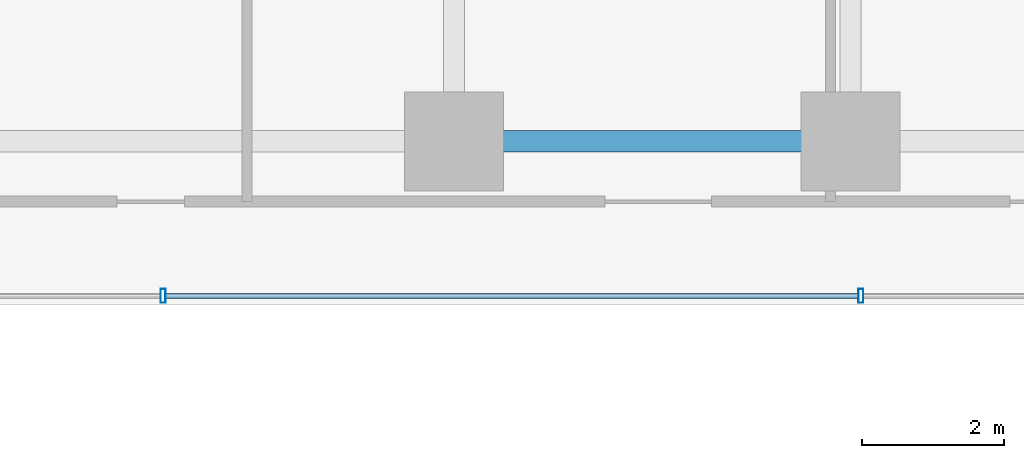
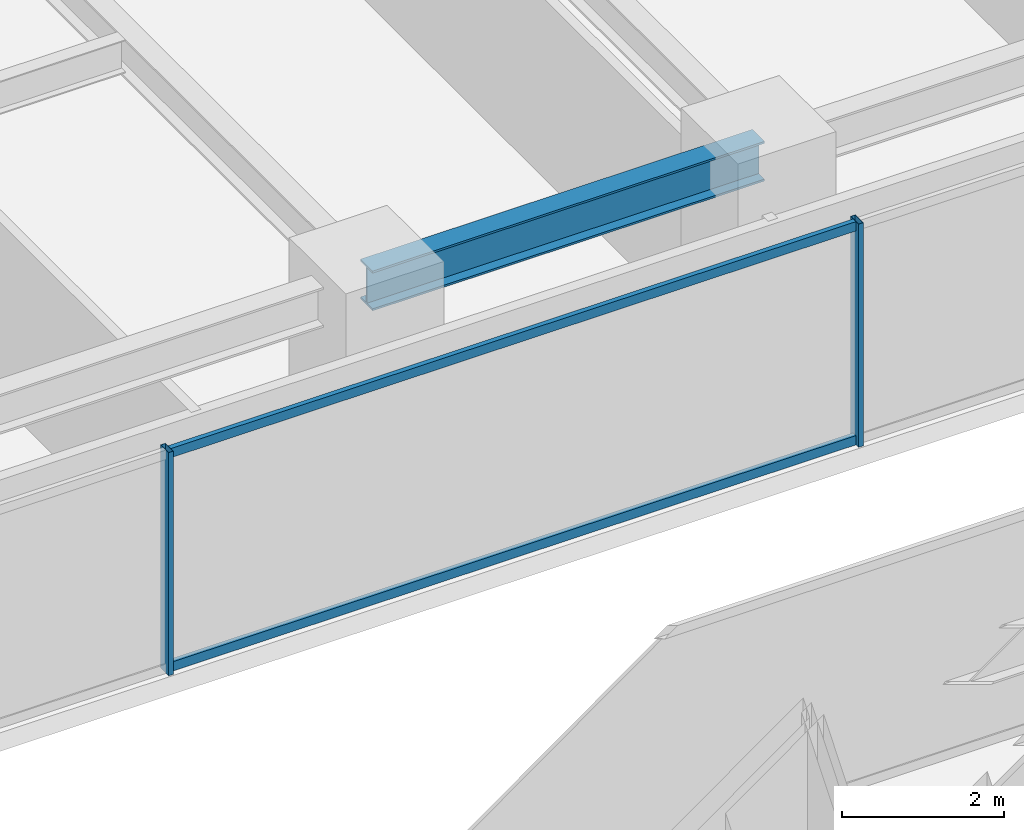
# One storey, part 13 of 42: 4 members, 1 beam, 1 element without a shape of its own.
"""IFC4 building model written with IfcOpenShell, lengths in metres."""

from ifc_helpers import new_model, si_unit, direction, frame, origin, origin_2d, place, context, subcontext, project, spatial, hollow_rectangle, i_section, extrude, source, transform, mapped, material, material_profile, profile_set, type_object, element, aggregate, save


model = new_model("IFC4")

# Units and contexts
model_context = context("Model", 3, precision=1e-05, world=origin(), true_north=direction((0.0, 1.0)))
body_context = subcontext(model_context, "Body", "Model", "MODEL_VIEW")
ifc_project = project(units=[si_unit("LENGTHUNIT", "METRE"), si_unit("AREAUNIT", "SQUARE_METRE"), si_unit("VOLUMEUNIT", "CUBIC_METRE"), si_unit("PLANEANGLEUNIT", "RADIAN"), si_unit("MASSUNIT", "GRAM", prefix="KILO")], contexts=[model_context])

# Site, building, storey
site_placement = place(None, origin())
site = spatial("IfcSite", under=ifc_project, at=site_placement, CompositionType="ELEMENT")
building_placement = place(site_placement, origin())
building = spatial("IfcBuilding", under=site, at=building_placement, Name="Nahalor Promenade Grand Hotel", CompositionType="ELEMENT")
storey_placement = place(building_placement, frame((0.0, 0.0, 61.60009765625)))
storey = spatial("IfcBuildingStorey", under=building, at=storey_placement, Name="L14", CompositionType="ELEMENT", Elevation=61.60009765625)

# Beam
ifc_material_1 = material(Name="Steel S355JR", Category="steel")
ifc_material_profile_1 = material_profile(ifc_material_1, i_section(OverallWidth=0.3, OverallDepth=0.6, WebThickness=0.0155, FlangeThickness=0.03, at=origin_2d()), Name="HEB 600")
ifc_profile_set_1 = profile_set([ifc_material_profile_1], Name="Steel S355JR")
beam_type = type_object("IfcBeamType", Name="Beam-Girder-HEB600", PredefinedType="BEAM", material=ifc_profile_set_1)
shared_shape_1 = source(origin(), body_context, "Body", "SweptSolid", [
    extrude(i_section(OverallWidth=0.3, OverallDepth=0.6, WebThickness=0.0155, FlangeThickness=0.03, at=origin_2d()), origin(), (0.0, 0.0, 1.0), 5.599853515625),
])
beam_placement = place(storey_placement, frame((-8.39990234375, 5.39990234375, 3.06982421875), z_axis=(1.0, 0.0, 0.0), x_axis=(0.0, 1.0, 0.0)))
element("IfcBeam", 1, at=beam_placement, inside=storey, type_object=beam_type, Name="BM-L14-GX-2-2", PredefinedType="BEAM", context=body_context, shape_type="MappedRepresentation", body=[
    mapped(shared_shape_1, transform((0.0, 0.0, 0.0), scale=1.0)),
])

# Curtain wall, members
ifc_material_2 = material(Name="Anodised Bronze Aluminium EN AW-6063 T6", Category="aluminium")
curtain_wall_type = type_object("IfcCurtainWallType", Name="CW3 Elliptical-Void Collar Unitised Curtain Wall", PredefinedType="USERDEFINED", material=ifc_material_2)
curtain_wall_placement = place(storey_placement, origin())
curtain_wall = element("IfcCurtainWall", 2, at=curtain_wall_placement, inside=storey, type_object=curtain_wall_type, Name="L14 Curtain Wall CW-L14-VOID-WN1", ObjectType="UNITISED_CURTAIN_WALL", PredefinedType="USERDEFINED")
ifc_material_profile_2 = material_profile(ifc_material_2, hollow_rectangle(XDim=0.07, YDim=0.2, WallThickness=0.005, at=origin_2d()), Name="CWM 70x200x5")
ifc_profile_set_2 = profile_set([ifc_material_profile_2], Name="Anodised Bronze Aluminium EN AW-6063 T6")
member_type_1 = type_object("IfcMemberType", Name="CWM3 Void Collar Mullion 70x200", PredefinedType="MULLION", material=ifc_profile_set_2)
shared_shape_2 = source(origin(), body_context, "Body", "SweptSolid", [
    extrude(hollow_rectangle(XDim=0.07, YDim=0.2, WallThickness=0.005, at=origin_2d()), origin(), (0.0, 0.0, 1.0), 3.369873046875),
])
member_1_placement = place(storey_placement, frame((-12.506591796875, 3.219970703125, 0.0), z_axis=(0.0, 0.0, 1.0), x_axis=(1.0, 0.0, 0.0)))
member_1 = element("IfcMember", 3, at=member_1_placement, type_object=member_type_1, Name="CW-L14-VOID-WN1 Mullion 1", PredefinedType="MULLION", context=body_context, shape_type="MappedRepresentation", body=[
    mapped(shared_shape_2, transform((0.0, 0.0, 0.0), scale=1.0)),
])
member_2_placement = place(storey_placement, frame((-2.6533203125, 3.219970703125, 0.0), z_axis=(0.0, 0.0, 1.0), x_axis=(1.0, 0.0, 0.0)))
member_2 = element("IfcMember", 4, at=member_2_placement, type_object=member_type_1, Name="CW-L14-VOID-WN1 Mullion 2", PredefinedType="MULLION", context=body_context, shape_type="MappedRepresentation", body=[
    mapped(shared_shape_2, transform((0.0, 0.0, 0.0), scale=1.0)),
])
ifc_material_profile_3 = material_profile(ifc_material_2, hollow_rectangle(XDim=0.07, YDim=0.14, WallThickness=0.004, at=origin_2d()), Name="CWT 70x140x4")
ifc_profile_set_3 = profile_set([ifc_material_profile_3], Name="Anodised Bronze Aluminium EN AW-6063 T6")
member_type_2 = type_object("IfcMemberType", Name="CWT3 Void Collar Transom 70x140", PredefinedType="USERDEFINED", material=ifc_profile_set_3)
shared_shape_3 = source(origin(), body_context, "Body", "SweptSolid", [
    extrude(hollow_rectangle(XDim=0.07, YDim=0.14, WallThickness=0.004, at=origin_2d()), origin(), (0.0, 0.0, 1.0), 9.783447265625),
])
member_3_placement = place(storey_placement, frame((-12.4716796875, 3.219970703125, 0.06982421875), z_axis=(1.0, 0.0, 0.0), x_axis=(0.0, 1.0, 0.0)))
member_3 = element("IfcMember", 5, at=member_3_placement, type_object=member_type_2, Name="CW-L14-VOID-WN1 Transom 1-0", ObjectType="TRANSOM", PredefinedType="USERDEFINED", context=body_context, shape_type="MappedRepresentation", body=[
    mapped(shared_shape_3, transform((0.0, 0.0, 0.0), scale=1.0)),
])
member_4_placement = place(storey_placement, frame((-12.4716796875, 3.219970703125, 3.2998046875), z_axis=(1.0, 0.0, 0.0), x_axis=(0.0, 1.0, 0.0)))
member_4 = element("IfcMember", 6, at=member_4_placement, type_object=member_type_2, Name="CW-L14-VOID-WN1 Transom 1-1", ObjectType="TRANSOM", PredefinedType="USERDEFINED", context=body_context, shape_type="MappedRepresentation", body=[
    mapped(shared_shape_3, transform((0.0, 0.0, 0.0), scale=1.0)),
])
aggregate(curtain_wall, [member_1, member_2, member_3, member_4])

save(model, "model.ifc")
